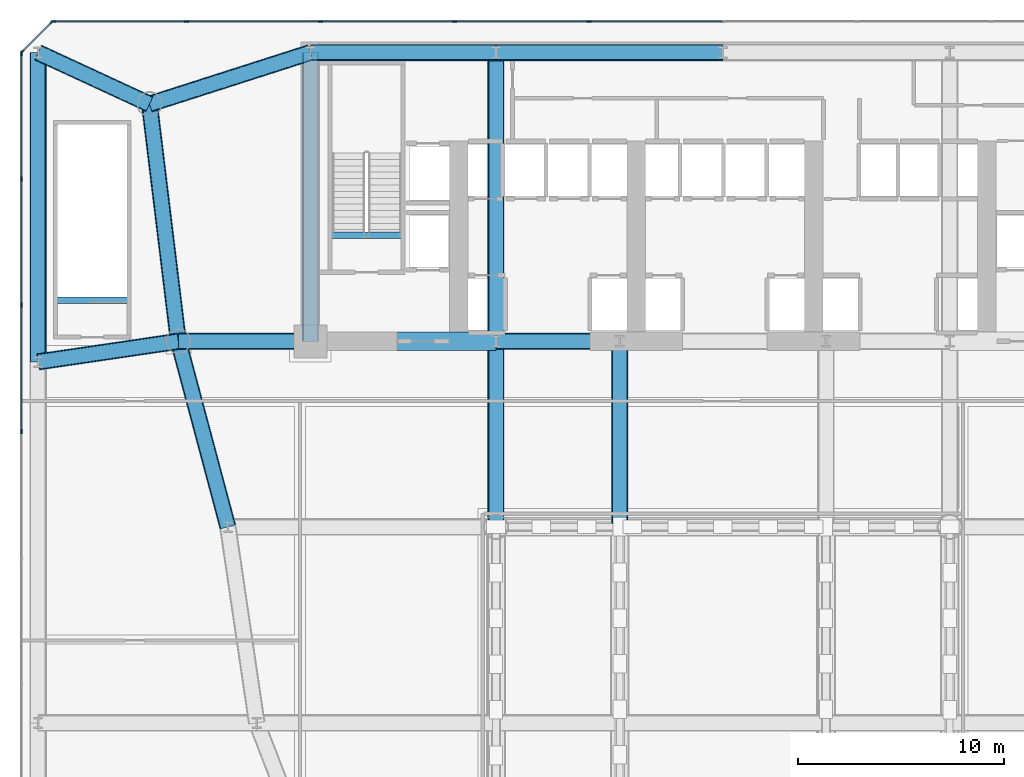
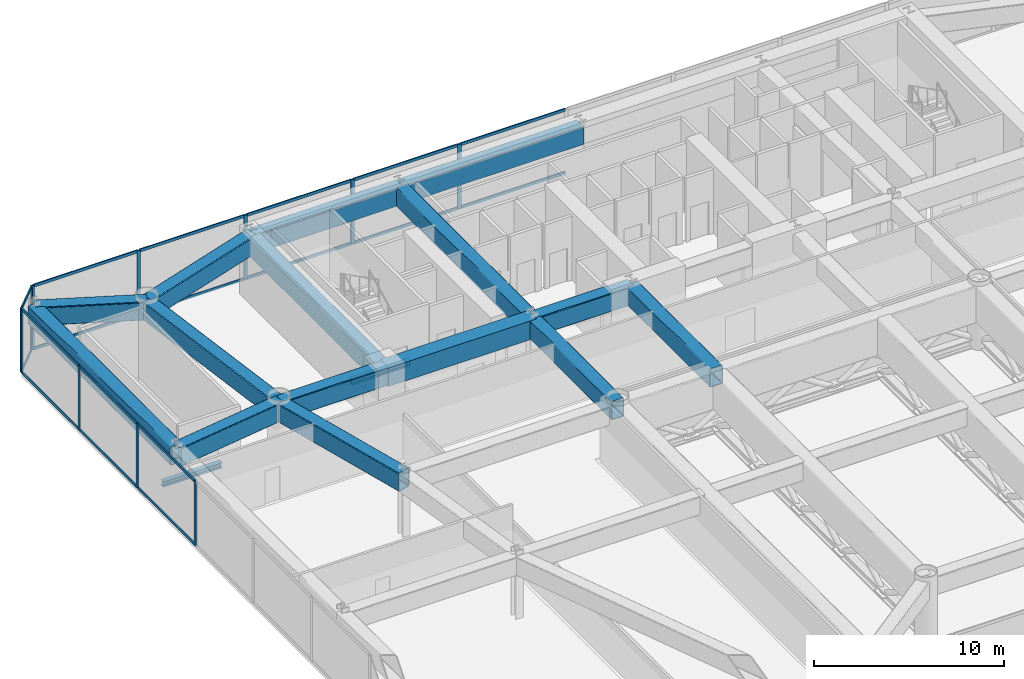
# One storey, part 7 of 21: 29 members, 17 beams, 3 elements without a shape of their own.
"""IFC4 building model written with IfcOpenShell, lengths in metres."""

import ifcopenshell
import ifcopenshell.guid

model = None  # the IFC model being written
_history = None  # IfcOwnerHistory: only IFC2X3 demands one
_inside = {}  # id of a spatial element -> (the spatial element, [elements in it])
_under = {}  # id of a project, library or spatial element -> (it, [spatial elements below it])
_declared = {}  # id of a project -> (the project, [libraries it declares])
_typed = {}  # id of a type object -> (the type object, [elements of that type])
_made_of = {}  # id of a material, layer set ... -> (it, [elements and type objects made of it])


def new_model(schema):
    """Start an empty IFC model of exactly this schema.

    Asked for "IFC4X3", IfcOpenShell would pick the latest addendum, in which some entities
    have other attributes; the version numbers below select the first issue.
    IFC2X3 requires an IfcOwnerHistory on every rooted entity: one is made here for all.
    """
    global model, _history
    if schema == "IFC4X3":
        model = ifcopenshell.file(schema_version=(4, 3, 0, 0))
    else:
        model = ifcopenshell.file(schema=schema)
    _inside.clear()
    _under.clear()
    _declared.clear()
    _typed.clear()
    _made_of.clear()
    _history = None
    if model.schema == "IFC2X3":
        org = make("IfcOrganization", Name="unknown")
        user = make(
            "IfcPersonAndOrganization",
            ThePerson=make("IfcPerson", FamilyName="unknown"),
            TheOrganization=org,
        )
        app = make(
            "IfcApplication",
            ApplicationDeveloper=org,
            Version="unknown",
            ApplicationFullName="unknown",
            ApplicationIdentifier="unknown",
        )
        _history = make(
            "IfcOwnerHistory",
            OwningUser=user,
            OwningApplication=app,
            ChangeAction="ADDED",
            CreationDate=0,
        )
    return model


def make(cls, **values):
    """One entity of the class cls with the attributes given. An attribute that is None is left unset."""
    return model.create_entity(
        cls, **{name: value for name, value in values.items() if value is not None}
    )


def rooted(cls, **values):
    """An entity with a GlobalId (a new one), such as an element, a storey or a relation."""
    return make(cls, GlobalId=ifcopenshell.guid.new(), OwnerHistory=_history, **values)


def si_unit(unit_type, name, prefix=None):
    """IfcSIUnit, for example si_unit("LENGTHUNIT", "METRE", prefix="MILLI")."""
    return make("IfcSIUnit", UnitType=unit_type, Prefix=prefix, Name=name)


def assignment(units):
    """IfcUnitAssignment: the units of a project."""
    return None if units is None else make("IfcUnitAssignment", Units=units)


def point(xyz):
    """IfcCartesianPoint."""
    return None if xyz is None else make("IfcCartesianPoint", Coordinates=xyz)


def direction(xyz):
    """IfcDirection."""
    return None if xyz is None else make("IfcDirection", DirectionRatios=xyz)


def frame(location, z_axis=None, x_axis=None):
    """IfcAxis2Placement3D, a coordinate frame: its origin and axes. An axis left out is left unset."""
    return make(
        "IfcAxis2Placement3D",
        Location=point(location),
        Axis=direction(z_axis),
        RefDirection=direction(x_axis),
    )


def frame_2d(location, x_axis=None):
    """IfcAxis2Placement2D, a coordinate frame in the plane: its origin and x axis."""
    return make(
        "IfcAxis2Placement2D", Location=point(location), RefDirection=direction(x_axis)
    )


def origin():
    """The frame at (0, 0, 0) with its axes left unset."""
    return frame((0.0, 0.0, 0.0))


def origin_2d():
    """The frame at (0, 0) in the plane with its x axis left unset."""
    return frame_2d((0.0, 0.0))


def place(relative_to, where):
    """IfcLocalPlacement: puts the frame where relative to a parent placement (None: the world)."""
    return make(
        "IfcLocalPlacement", PlacementRelTo=relative_to, RelativePlacement=where
    )


def context(
    kind, dimensions, precision=None, world=None, true_north=None, identifier=None
):
    """IfcGeometricRepresentationContext, for example the 3D "Model" context."""
    return make(
        "IfcGeometricRepresentationContext",
        ContextIdentifier=identifier,
        ContextType=kind,
        CoordinateSpaceDimension=dimensions,
        Precision=precision,
        WorldCoordinateSystem=world,
        TrueNorth=true_north,
    )


def subcontext(parent, identifier, kind, view, scale=None):
    """IfcGeometricRepresentationSubContext, for example "Body" below "Model"."""
    return make(
        "IfcGeometricRepresentationSubContext",
        ContextIdentifier=identifier,
        ContextType=kind,
        ParentContext=parent,
        TargetScale=scale,
        TargetView=view,
    )


def project(units=None, contexts=None):
    """IfcProject with its units and contexts."""
    return rooted(
        "IfcProject",
        Name="project",
        RepresentationContexts=contexts,
        UnitsInContext=assignment(units),
    )


def spatial(cls, under=None, at=None, **own):
    """A site, building, storey or space (cls), placed at a placement, below another one or the project."""
    s = rooted(cls, ObjectPlacement=at, **own)
    if under is not None:
        _under.setdefault(under.id(), (under, []))[1].append(s)
    return s


def profile(cls, at=None, kind="AREA", **sizes):
    """A parametric profile (cls). Its sizes go by their IFC names, for example OverallWidth=200.0."""
    return make(cls, ProfileType=kind, Position=at, **sizes)


def rectangle(**sizes):
    """IfcRectangleProfileDef."""
    return profile("IfcRectangleProfileDef", **sizes)


def hollow_rectangle(**sizes):
    """IfcRectangleHollowProfileDef."""
    return profile("IfcRectangleHollowProfileDef", **sizes)


def i_section(**sizes):
    """IfcIShapeProfileDef."""
    return profile("IfcIShapeProfileDef", **sizes)


def extrude(swept, where, along, depth):
    """IfcExtrudedAreaSolid: the profile swept, set in the frame where, extruded along a direction by depth."""
    return make(
        "IfcExtrudedAreaSolid",
        SweptArea=swept,
        Position=where,
        ExtrudedDirection=direction(along),
        Depth=depth,
    )


def shape(context_of_items, identifier, shape_type, items):
    """IfcShapeRepresentation: the items that make up one representation, for example the "Body"."""
    return make(
        "IfcShapeRepresentation",
        ContextOfItems=context_of_items,
        RepresentationIdentifier=identifier,
        RepresentationType=shape_type,
        Items=items,
    )


def source(mapping_origin, context_of_items, identifier, shape_type, items):
    """IfcRepresentationMap: a shape defined once, which mapped items show again and again."""
    return make(
        "IfcRepresentationMap",
        MappingOrigin=mapping_origin,
        MappedRepresentation=shape(context_of_items, identifier, shape_type, items),
    )


def transform(
    local_origin,
    x_axis=None,
    y_axis=None,
    z_axis=None,
    scale=None,
    scale2=None,
    scale3=None,
    uniform=True,
):
    """IfcCartesianTransformationOperator3D, or its non-uniform kind. x_axis, y_axis, z_axis: its Axis1, 2, 3."""
    if uniform:
        return make(
            "IfcCartesianTransformationOperator3D",
            Axis1=direction(x_axis),
            Axis2=direction(y_axis),
            LocalOrigin=point(local_origin),
            Scale=scale,
            Axis3=direction(z_axis),
        )
    return make(
        "IfcCartesianTransformationOperator3DnonUniform",
        Axis1=direction(x_axis),
        Axis2=direction(y_axis),
        LocalOrigin=point(local_origin),
        Scale=scale,
        Axis3=direction(z_axis),
        Scale2=scale2,
        Scale3=scale3,
    )


def mapped(mapping_source, mapping_target):
    """IfcMappedItem: shows the shape of a source again, moved by a transform."""
    return make(
        "IfcMappedItem", MappingSource=mapping_source, MappingTarget=mapping_target
    )


def material(Name=None, Category=None):
    """IfcMaterial."""
    return make("IfcMaterial", Name=Name, Category=Category)


def layer(
    of_material, thickness, ventilated=None, Name=None, Category=None, Priority=None
):
    """IfcMaterialLayer: one layer of a wall or slab, of a material (None: an air gap)."""
    return make(
        "IfcMaterialLayer",
        Material=of_material,
        LayerThickness=thickness,
        IsVentilated=ventilated,
        Name=Name,
        Category=Category,
        Priority=Priority,
    )


def layer_set(layers, Name=None):
    """IfcMaterialLayerSet."""
    return make("IfcMaterialLayerSet", MaterialLayers=layers, LayerSetName=Name)


def material_profile(
    of_material, cross_section, Name=None, Category=None, Priority=None
):
    """IfcMaterialProfile: a cross section and its material."""
    return make(
        "IfcMaterialProfile",
        Name=Name,
        Material=of_material,
        Profile=cross_section,
        Priority=Priority,
        Category=Category,
    )


def profile_set(profiles, Name=None, composite=None):
    """IfcMaterialProfileSet."""
    return make(
        "IfcMaterialProfileSet",
        Name=Name,
        MaterialProfiles=profiles,
        CompositeProfile=composite,
    )


def made_of(thing, what):
    """Note that an element or type object is made of a material, layer set ...; save() writes the relation."""
    if what is not None:
        _made_of.setdefault(what.id(), (what, []))[1].append(thing)
    return thing


def type_object(cls, material=None, **own):
    """A type object (cls), such as IfcWallType, which elements share."""
    return made_of(rooted(cls, **own), material)


def element(
    cls,
    number,
    at=None,
    inside=None,
    cuts=None,
    type_object=None,
    material=None,
    context=None,
    identifier="Body",
    shape_type=None,
    held_by="IfcProductDefinitionShape",
    body=None,
    shapes=None,
    **own,
):
    """One element of the class cls, such as IfcWall. Its Tag is "e" and its number.

    at: its placement. inside: the storey or other place that contains it. cuts: it is an
    opening in that element (IfcRelVoidsElement). A single representation is given by context,
    identifier, shape_type and body (its items); several are given by shapes. held_by: the class
    of the entity that holds the representations. save() writes the other relations.
    """
    e = rooted(cls, Tag="e%d" % number, ObjectPlacement=at, **own)
    if body is not None:
        shapes = [shape(context, identifier, shape_type, body)]
    if shapes is not None:
        e.Representation = make(held_by, Representations=shapes)
    if inside is not None:
        _inside.setdefault(inside.id(), (inside, []))[1].append(e)
    if cuts is not None:
        rooted(
            "IfcRelVoidsElement", RelatingBuildingElement=cuts, RelatedOpeningElement=e
        )
    if type_object is not None:
        _typed.setdefault(type_object.id(), (type_object, []))[1].append(e)
    return made_of(e, material)


def aggregate(whole, parts):
    """IfcRelAggregates: a whole, such as a stair, and the parts it consists of."""
    return rooted("IfcRelAggregates", RelatingObject=whole, RelatedObjects=parts)


def save(model, path):
    """Write the relations noted so far, then the file.

    IfcRelAggregates (storeys below a building ...), IfcRelContainedInSpatialStructure (elements
    in a storey), IfcRelDefinesByType, IfcRelAssociatesMaterial and IfcRelDeclares: one each for
    every whole, place, type object, material and project.
    """
    for whole, parts in _under.values():
        aggregate(whole, parts)
    for where, things in _inside.values():
        rooted(
            "IfcRelContainedInSpatialStructure",
            RelatedElements=things,
            RelatingStructure=where,
        )
    for kind, things in _typed.values():
        rooted("IfcRelDefinesByType", RelatedObjects=things, RelatingType=kind)
    for what, things in _made_of.values():
        rooted("IfcRelAssociatesMaterial", RelatedObjects=things, RelatingMaterial=what)
    for by, libraries in _declared.values():
        rooted("IfcRelDeclares", RelatingContext=by, RelatedDefinitions=libraries)
    model.write(path)


model = new_model("IFC4")

# Units and contexts
model_context = context("Model", 3, precision=1e-05, world=origin(), true_north=direction((0.0, 1.0)))
body_context = subcontext(model_context, "Body", "Model", "MODEL_VIEW")
ifc_project = project(units=[si_unit("LENGTHUNIT", "METRE"), si_unit("AREAUNIT", "SQUARE_METRE"), si_unit("VOLUMEUNIT", "CUBIC_METRE"), si_unit("PLANEANGLEUNIT", "RADIAN"), si_unit("MASSUNIT", "GRAM", prefix="KILO")], contexts=[model_context])

# Site, building, storey
site_placement = place(None, origin())
site = spatial("IfcSite", under=ifc_project, at=site_placement, CompositionType="ELEMENT")
building_placement = place(site_placement, origin())
building = spatial("IfcBuilding", under=site, at=building_placement, Name="Vaeldorn Concourse Tower", CompositionType="ELEMENT")
storey_placement = place(building_placement, frame((0.0, 0.0, 14.39990234375)))
storey = spatial("IfcBuildingStorey", under=building, at=storey_placement, Name="L03", CompositionType="ELEMENT", Elevation=14.39990234375)

# Beams
ifc_material_1 = material(Name="Concrete C60/75", Category="concrete")
ifc_material_profile_1 = material_profile(ifc_material_1, rectangle(XDim=0.89990234375, YDim=1.199951171875, at=origin_2d()), Name="RC 900x1200")
ifc_profile_set_1 = profile_set([ifc_material_profile_1], Name="Concrete C60/75")
beam_type_1 = type_object("IfcBeamType", Name="BM-CB-RC900", PredefinedType="BEAM", material=ifc_profile_set_1)
shared_shape_1 = source(origin(), body_context, "Body", "SweptSolid", [
    extrude(rectangle(XDim=0.89990234375, YDim=1.199951171875, at=origin_2d()), origin(), (0.0, 0.0, 1.0), 9.0),
])
beam_1_placement = place(storey_placement, frame((14.0, 36.5, 3.52001953125), z_axis=(1.0, 0.0, 0.0), x_axis=(0.0, 1.0, 0.0)))
element("IfcBeam", 1, at=beam_1_placement, inside=storey, type_object=beam_type_1, Name="Core Coupling Beam L03-1", PredefinedType="BEAM", context=body_context, shape_type="MappedRepresentation", body=[
    mapped(shared_shape_1, transform((0.0, 0.0, 0.0), scale=1.0)),
])
ifc_material_2 = material(Name="Steel S355", Category="steel")
ifc_material_profile_2 = material_profile(ifc_material_2, i_section(OverallWidth=0.300048828125, OverallDepth=0.340087890625, WebThickness=0.011962890625, FlangeThickness=0.021484375, FilletRadius=0.027099609375, at=origin_2d()), Name="HEB 340")
ifc_profile_set_2 = profile_set([ifc_material_profile_2], Name="Steel S355")
beam_type_2 = type_object("IfcBeamType", Name="BM-ST-TRIM", PredefinedType="BEAM", material=ifc_profile_set_2)
shared_shape_2 = source(origin(), body_context, "Body", "SweptSolid", [
    extrude(i_section(OverallWidth=0.300048828125, OverallDepth=0.340087890625, WebThickness=0.011962890625, FlangeThickness=0.021484375, FilletRadius=0.027099609375, at=origin_2d()), origin(), (0.0, 0.0, 1.0), 3.590087890625),
])
for number, where, z_axis, x_axis, name in (
    (2, (14.929931640625, 41.639892578125, -0.449951171875), (1.0, 0.0, 0.0), (0.0, 1.0, 0.0), "Stair Landing Trimmer Beam ST-1 L03"),
    (3, (1.6298828125, 38.489990234375, -0.449951171875), (1.0, 0.0, 0.0), (0.0, 1.0, 0.0), "Stair Landing Trimmer Beam ST-3 L03"),
):
    element("IfcBeam", number, at=place(storey_placement, frame(where, z_axis=z_axis, x_axis=x_axis)), inside=storey, type_object=beam_type_2, Name=name, PredefinedType="BEAM", context=body_context, shape_type="MappedRepresentation", body=[
        mapped(shared_shape_2, transform((0.0, 0.0, 0.0), scale=1.0)),
    ])
ifc_material_3 = material(Name="Steel S460", Category="steel")
ifc_material_profile_3 = material_profile(ifc_material_3, hollow_rectangle(XDim=0.800048828125, YDim=1.199951171875, WallThickness=0.044921875, InnerFilletRadius=0.044921875, OuterFilletRadius=0.090087890625, at=origin_2d()), Name="RHS 1200x800x45")
ifc_profile_set_3 = profile_set([ifc_material_profile_3], Name="Steel S460")
beam_type_3 = type_object("IfcBeamType", Name="BM-TG-RHS1200", PredefinedType="BEAM", material=ifc_profile_set_3)
shared_shape_3 = source(origin(), body_context, "Body", "SweptSolid", [
    extrude(hollow_rectangle(XDim=0.800048828125, YDim=1.199951171875, WallThickness=0.044921875, InnerFilletRadius=0.044921875, OuterFilletRadius=0.090087890625, at=origin_2d()), origin(), (0.0, 0.0, 1.0), 6.0),
])
beam_2_placement = place(storey_placement, frame((23.0, 36.5, 3.52001953125), z_axis=(1.0, 0.0, 0.0), x_axis=(0.0, 1.0, 0.0)))
element("IfcBeam", 4, at=beam_2_placement, inside=storey, type_object=beam_type_3, Name="Beam BM-L03-C-FC2-C-FC3", PredefinedType="BEAM", context=body_context, shape_type="MappedRepresentation", body=[
    mapped(shared_shape_3, transform((0.0, 0.0, 0.0), scale=1.0)),
])
shared_shape_4 = source(origin(), body_context, "Body", "SweptSolid", [
    extrude(hollow_rectangle(XDim=0.800048828125, YDim=1.199951171875, WallThickness=0.044921875, InnerFilletRadius=0.044921875, OuterFilletRadius=0.090087890625, at=origin_2d()), origin(), (0.0, 0.0, 1.0), 9.0),
])
for number, where, z_axis, x_axis, name in (
    (5, (14.0, 50.5, 3.52001953125), (1.0, 0.0, 0.0), (0.0, 1.0, 0.0), "Beam BM-L03-C-HC1-C-HC2"),
    (6, (23.0, 27.5, 3.52001953125), (0.0, 1.0, 0.0), (-1.0, 0.0, 0.0), "Beam BM-L03-TG-01"),
    (7, (29.0, 27.5, 3.52001953125), (0.0, 1.0, 0.0), (-1.0, 0.0, 0.0), "Beam BM-L03-TG-04"),
):
    element("IfcBeam", number, at=place(storey_placement, frame(where, z_axis=z_axis, x_axis=x_axis)), inside=storey, type_object=beam_type_3, Name=name, PredefinedType="BEAM", context=body_context, shape_type="MappedRepresentation", body=[
        mapped(shared_shape_4, transform((0.0, 0.0, 0.0), scale=1.0)),
    ])
shared_shape_5 = source(origin(), body_context, "Body", "SweptSolid", [
    extrude(hollow_rectangle(XDim=0.800048828125, YDim=1.199951171875, WallThickness=0.044921875, InnerFilletRadius=0.044921875, OuterFilletRadius=0.090087890625, at=origin_2d()), origin(), (0.0, 0.0, 1.0), 11.0),
])
beam_3_placement = place(storey_placement, frame((23.0, 50.5, 3.52001953125), z_axis=(1.0, 0.0, 0.0), x_axis=(0.0, 1.0, 0.0)))
element("IfcBeam", 8, at=beam_3_placement, inside=storey, type_object=beam_type_3, Name="Beam BM-L03-C-HC2-C-HC3", PredefinedType="BEAM", context=body_context, shape_type="MappedRepresentation", body=[
    mapped(shared_shape_5, transform((0.0, 0.0, 0.0), scale=1.0)),
])
shared_shape_6 = source(origin(), body_context, "Body", "SweptSolid", [
    extrude(hollow_rectangle(XDim=0.800048828125, YDim=1.199951171875, WallThickness=0.044921875, InnerFilletRadius=0.044921875, OuterFilletRadius=0.090087890625, at=origin_2d()), origin(), (0.0, 0.0, 1.0), 14.0),
])
for number, where, z_axis, x_axis, name in (
    (9, (14.0, 36.5, 3.52001953125), (0.0, 1.0, 0.0), (-1.0, 0.0, 0.0), "Beam BM-L03-C-FC1-C-HC1"),
    (10, (23.0, 36.5, 3.52001953125), (0.0, 1.0, 0.0), (-1.0, 0.0, 0.0), "Beam BM-L03-C-FC2-C-HC2"),
):
    element("IfcBeam", number, at=place(storey_placement, frame(where, z_axis=z_axis, x_axis=x_axis)), inside=storey, type_object=beam_type_3, Name=name, PredefinedType="BEAM", context=body_context, shape_type="MappedRepresentation", body=[
        mapped(shared_shape_6, transform((0.0, 0.0, 0.0), scale=1.0)),
    ])
shared_shape_7 = source(origin(), body_context, "Body", "SweptSolid", [
    extrude(hollow_rectangle(XDim=0.800048828125, YDim=1.199951171875, WallThickness=0.044921875, InnerFilletRadius=0.044921875, OuterFilletRadius=0.090087890625, at=origin_2d()), origin(), (0.0, 0.0, 1.0), 15.0),
])
beam_4_placement = place(storey_placement, frame((0.800048828125, 35.5, 3.52001953125), z_axis=(0.0, 1.0, 0.0), x_axis=(-1.0, 0.0, 0.0)))
element("IfcBeam", 11, at=beam_4_placement, inside=storey, type_object=beam_type_3, Name="Beam BM-L03-TG-21", PredefinedType="BEAM", context=body_context, shape_type="MappedRepresentation", body=[
    mapped(shared_shape_7, transform((0.0, 0.0, 0.0), scale=1.0)),
])
shared_shape_8 = source(origin(), body_context, "Body", "SweptSolid", [
    extrude(hollow_rectangle(XDim=0.800048828125, YDim=1.199951171875, WallThickness=0.044921875, InnerFilletRadius=0.044921875, OuterFilletRadius=0.090087890625, at=origin_2d()), origin(), (0.0, 0.0, 1.0), 6.873291015625),
])
beam_5_placement = place(storey_placement, frame((0.800048828125, 35.5, 3.52001953125), z_axis=(0.989359285749, 0.145492967882, 0.0), x_axis=(-0.145492967882, 0.989359285749, 0.0)))
element("IfcBeam", 12, at=beam_5_placement, inside=storey, type_object=beam_type_3, Name="Beam BM-L03-TG-27", PredefinedType="BEAM", context=body_context, shape_type="MappedRepresentation", body=[
    mapped(shared_shape_8, transform((0.0, 0.0, 0.0), scale=1.0)),
])
shared_shape_9 = source(origin(), body_context, "Body", "SweptSolid", [
    extrude(hollow_rectangle(XDim=0.800048828125, YDim=1.199951171875, WallThickness=0.044921875, InnerFilletRadius=0.044921875, OuterFilletRadius=0.090087890625, at=origin_2d()), origin(), (0.0, 0.0, 1.0), 6.39990234375),
])
beam_6_placement = place(storey_placement, frame((7.60009765625, 36.5, 3.52001953125), z_axis=(1.0, 0.0, 0.0), x_axis=(0.0, 1.0, 0.0)))
element("IfcBeam", 13, at=beam_6_placement, inside=storey, type_object=beam_type_3, Name="Beam BM-L03-TG-28", PredefinedType="BEAM", context=body_context, shape_type="MappedRepresentation", body=[
    mapped(shared_shape_9, transform((0.0, 0.0, 0.0), scale=1.0)),
])
shared_shape_10 = source(origin(), body_context, "Body", "SweptSolid", [
    extrude(hollow_rectangle(XDim=0.800048828125, YDim=1.199951171875, WallThickness=0.044921875, InnerFilletRadius=0.044921875, OuterFilletRadius=0.090087890625, at=origin_2d()), origin(), (0.0, 0.0, 1.0), 5.950439453125),
])
beam_7_placement = place(storey_placement, frame((0.800048828125, 50.5, 3.52001953125), z_axis=(0.907464010437, -0.420129824888, 0.0), x_axis=(0.420129824888, 0.907464010437, 0.0)))
element("IfcBeam", 14, at=beam_7_placement, inside=storey, type_object=beam_type_3, Name="Beam BM-L03-TG-31", PredefinedType="BEAM", context=body_context, shape_type="MappedRepresentation", body=[
    mapped(shared_shape_10, transform((0.0, 0.0, 0.0), scale=1.0)),
])
shared_shape_11 = source(origin(), body_context, "Body", "SweptSolid", [
    extrude(hollow_rectangle(XDim=0.800048828125, YDim=1.199951171875, WallThickness=0.044921875, InnerFilletRadius=0.044921875, OuterFilletRadius=0.090087890625, at=origin_2d()), origin(), (0.0, 0.0, 1.0), 8.19091796875),
])
beam_8_placement = place(storey_placement, frame((6.199951171875, 48.0, 3.52001953125), z_axis=(0.952282843383, 0.305216949396, 0.0), x_axis=(-0.305216949396, 0.952282843383, 0.0)))
element("IfcBeam", 15, at=beam_8_placement, inside=storey, type_object=beam_type_3, Name="Beam BM-L03-TG-32", PredefinedType="BEAM", context=body_context, shape_type="MappedRepresentation", body=[
    mapped(shared_shape_11, transform((0.0, 0.0, 0.0), scale=1.0)),
])
shared_shape_12 = source(origin(), body_context, "Body", "SweptSolid", [
    extrude(hollow_rectangle(XDim=0.800048828125, YDim=1.199951171875, WallThickness=0.044921875, InnerFilletRadius=0.044921875, OuterFilletRadius=0.090087890625, at=origin_2d()), origin(), (0.0, 0.0, 1.0), 11.5849609375),
])
beam_9_placement = place(storey_placement, frame((6.199951171875, 48.0, 3.52001953125), z_axis=(0.120859382899, -0.992669637677, 0.0), x_axis=(0.992669637677, 0.120859382899, 0.0)))
element("IfcBeam", 16, at=beam_9_placement, inside=storey, type_object=beam_type_3, Name="Beam BM-L03-TG-35", PredefinedType="BEAM", context=body_context, shape_type="MappedRepresentation", body=[
    mapped(shared_shape_12, transform((0.0, 0.0, 0.0), scale=1.0)),
])
shared_shape_13 = source(origin(), body_context, "Body", "SweptSolid", [
    extrude(hollow_rectangle(XDim=0.800048828125, YDim=1.199951171875, WallThickness=0.044921875, InnerFilletRadius=0.044921875, OuterFilletRadius=0.090087890625, at=origin_2d()), origin(), (0.0, 0.0, 1.0), 9.314453125),
])
beam_10_placement = place(storey_placement, frame((7.60009765625, 36.5, 3.52001953125), z_axis=(0.257652862255, -0.966237549763, 0.0), x_axis=(0.966237549763, 0.257652862255, 0.0)))
element("IfcBeam", 17, at=beam_10_placement, inside=storey, type_object=beam_type_3, Name="Beam BM-L03-TG-36", PredefinedType="BEAM", context=body_context, shape_type="MappedRepresentation", body=[
    mapped(shared_shape_13, transform((0.0, 0.0, 0.0), scale=1.0)),
])

# Curtain wall, members
ifc_material_4 = material(Name="Anodised Bronze Aluminium", Category="aluminium")
ifc_layer = layer(ifc_material_4, 0.239990234375)
ifc_layer_set = layer_set([ifc_layer], Name="Anodised Bronze Aluminium")
curtain_wall_type = type_object("IfcCurtainWallType", Name="CW-SYS-04", PredefinedType="NOTDEFINED", material=ifc_layer_set)
curtain_wall_1_placement = place(storey_placement, origin())
curtain_wall_1 = element("IfcCurtainWall", 18, at=curtain_wall_1_placement, inside=storey, type_object=curtain_wall_type, Name="Unitised Curtain Wall CW-L03-E05-1", PredefinedType="NOTDEFINED")
ifc_material_profile_4 = material_profile(ifc_material_4, rectangle(XDim=0.074951171875, YDim=0.179931640625, at=origin_2d()), Name="CWT 75x180")
ifc_profile_set_4 = profile_set([ifc_material_profile_4], Name="Anodised Bronze Aluminium")
member_type_1 = type_object("IfcMemberType", Name="CWT-BRONZE-180", PredefinedType="USERDEFINED", material=ifc_profile_set_4)
shared_shape_14 = source(origin(), body_context, "Body", "SweptSolid", [
    extrude(rectangle(XDim=0.074951171875, YDim=0.179931640625, at=origin_2d()), origin(), (0.0, 0.0, 1.0), 6.387451171875),
])
member_1_placement = place(storey_placement, frame((7.96240234375, 52.0, 0.03759765625), z_axis=(-1.0, 0.0, 0.0), x_axis=(0.0, -1.0, 0.0)))
member_1 = element("IfcMember", 19, at=member_1_placement, type_object=member_type_1, Name="CW-04 transom 10.1", ObjectType="TRANSOM", PredefinedType="USERDEFINED", context=body_context, shape_type="MappedRepresentation", body=[
    mapped(shared_shape_14, transform((0.0, 0.0, 0.0), scale=1.0)),
])
member_2_placement = place(storey_placement, frame((7.96240234375, 52.0, 4.08251953125), z_axis=(-1.0, 0.0, 0.0), x_axis=(0.0, -1.0, 0.0)))
member_2 = element("IfcMember", 20, at=member_2_placement, type_object=member_type_1, Name="CW-04 transom 10.2", ObjectType="TRANSOM", PredefinedType="USERDEFINED", context=body_context, shape_type="MappedRepresentation", body=[
    mapped(shared_shape_14, transform((0.0, 0.0, 0.0), scale=1.0)),
])
shared_shape_15 = source(origin(), body_context, "Body", "SweptSolid", [
    extrude(rectangle(XDim=0.074951171875, YDim=0.179931640625, at=origin_2d()), origin(), (0.0, 0.0, 1.0), 6.4248046875),
])
member_3_placement = place(storey_placement, frame((33.96240234375, 52.0, 0.03759765625), z_axis=(-1.0, 0.0, 0.0), x_axis=(0.0, -1.0, 0.0)))
member_3 = element("IfcMember", 21, at=member_3_placement, type_object=member_type_1, Name="CW-04 transom 6.1", ObjectType="TRANSOM", PredefinedType="USERDEFINED", context=body_context, shape_type="MappedRepresentation", body=[
    mapped(shared_shape_15, transform((0.0, 0.0, 0.0), scale=1.0)),
])
member_4_placement = place(storey_placement, frame((33.96240234375, 52.0, 4.08251953125), z_axis=(-1.0, 0.0, 0.0), x_axis=(0.0, -1.0, 0.0)))
member_4 = element("IfcMember", 22, at=member_4_placement, type_object=member_type_1, Name="CW-04 transom 6.2", ObjectType="TRANSOM", PredefinedType="USERDEFINED", context=body_context, shape_type="MappedRepresentation", body=[
    mapped(shared_shape_15, transform((0.0, 0.0, 0.0), scale=1.0)),
])
member_5_placement = place(storey_placement, frame((27.46240234375, 52.0, 0.03759765625), z_axis=(-1.0, 0.0, 0.0), x_axis=(0.0, -1.0, 0.0)))
member_5 = element("IfcMember", 23, at=member_5_placement, type_object=member_type_1, Name="CW-04 transom 7.1", ObjectType="TRANSOM", PredefinedType="USERDEFINED", context=body_context, shape_type="MappedRepresentation", body=[
    mapped(shared_shape_15, transform((0.0, 0.0, 0.0), scale=1.0)),
])
member_6_placement = place(storey_placement, frame((27.46240234375, 52.0, 4.08251953125), z_axis=(-1.0, 0.0, 0.0), x_axis=(0.0, -1.0, 0.0)))
member_6 = element("IfcMember", 24, at=member_6_placement, type_object=member_type_1, Name="CW-04 transom 7.2", ObjectType="TRANSOM", PredefinedType="USERDEFINED", context=body_context, shape_type="MappedRepresentation", body=[
    mapped(shared_shape_15, transform((0.0, 0.0, 0.0), scale=1.0)),
])
member_7_placement = place(storey_placement, frame((20.96240234375, 52.0, 0.03759765625), z_axis=(-1.0, 0.0, 0.0), x_axis=(0.0, -1.0, 0.0)))
member_7 = element("IfcMember", 25, at=member_7_placement, type_object=member_type_1, Name="CW-04 transom 8.1", ObjectType="TRANSOM", PredefinedType="USERDEFINED", context=body_context, shape_type="MappedRepresentation", body=[
    mapped(shared_shape_15, transform((0.0, 0.0, 0.0), scale=1.0)),
])
member_8_placement = place(storey_placement, frame((20.96240234375, 52.0, 4.08251953125), z_axis=(-1.0, 0.0, 0.0), x_axis=(0.0, -1.0, 0.0)))
member_8 = element("IfcMember", 26, at=member_8_placement, type_object=member_type_1, Name="CW-04 transom 8.2", ObjectType="TRANSOM", PredefinedType="USERDEFINED", context=body_context, shape_type="MappedRepresentation", body=[
    mapped(shared_shape_15, transform((0.0, 0.0, 0.0), scale=1.0)),
])
member_9_placement = place(storey_placement, frame((14.46240234375, 52.0, 0.03759765625), z_axis=(-1.0, 0.0, 0.0), x_axis=(0.0, -1.0, 0.0)))
member_9 = element("IfcMember", 27, at=member_9_placement, type_object=member_type_1, Name="CW-04 transom 9.1", ObjectType="TRANSOM", PredefinedType="USERDEFINED", context=body_context, shape_type="MappedRepresentation", body=[
    mapped(shared_shape_15, transform((0.0, 0.0, 0.0), scale=1.0)),
])
member_10_placement = place(storey_placement, frame((14.46240234375, 52.0, 4.08251953125), z_axis=(-1.0, 0.0, 0.0), x_axis=(0.0, -1.0, 0.0)))
member_10 = element("IfcMember", 28, at=member_10_placement, type_object=member_type_1, Name="CW-04 transom 9.2", ObjectType="TRANSOM", PredefinedType="USERDEFINED", context=body_context, shape_type="MappedRepresentation", body=[
    mapped(shared_shape_15, transform((0.0, 0.0, 0.0), scale=1.0)),
])

curtain_wall_2_placement = place(storey_placement, origin())
curtain_wall_2 = element("IfcCurtainWall", 29, at=curtain_wall_2_placement, inside=storey, type_object=curtain_wall_type, Name="Unitised Curtain Wall CW-L03-E06-1", PredefinedType="NOTDEFINED")
shared_shape_16 = source(origin(), body_context, "Body", "SweptSolid", [
    extrude(rectangle(XDim=0.074951171875, YDim=0.179931640625, at=origin_2d()), origin(), (0.0, 0.0, 1.0), 1.971435546875),
])
member_11_placement = place(storey_placement, frame((1.447021484375, 51.947021484375, 0.03759765625), z_axis=(-0.707106781187, -0.707106781187, 0.0), x_axis=(0.707106781187, -0.707106781187, 0.0)))
member_11 = element("IfcMember", 30, at=member_11_placement, type_object=member_type_1, Name="CW-04 transom 1.1", ObjectType="TRANSOM", PredefinedType="USERDEFINED", context=body_context, shape_type="MappedRepresentation", body=[
    mapped(shared_shape_16, transform((0.0, 0.0, 0.0), scale=1.0)),
])
member_12_placement = place(storey_placement, frame((1.447021484375, 51.947021484375, 4.08251953125), z_axis=(-0.707106781187, -0.707106781187, 0.0), x_axis=(0.707106781187, -0.707106781187, 0.0)))
member_12 = element("IfcMember", 31, at=member_12_placement, type_object=member_type_1, Name="CW-04 transom 1.2", ObjectType="TRANSOM", PredefinedType="USERDEFINED", context=body_context, shape_type="MappedRepresentation", body=[
    mapped(shared_shape_16, transform((0.0, 0.0, 0.0), scale=1.0)),
])

curtain_wall_3_placement = place(storey_placement, origin())
curtain_wall_3 = element("IfcCurtainWall", 32, at=curtain_wall_3_placement, inside=storey, type_object=curtain_wall_type, Name="Unitised Curtain Wall CW-L03-E07-1", PredefinedType="NOTDEFINED")
shared_shape_17 = source(origin(), body_context, "Body", "SweptSolid", [
    extrude(rectangle(XDim=0.074951171875, YDim=0.179931640625, at=origin_2d()), origin(), (0.0, 0.0, 1.0), 6.012451171875),
])
member_13_placement = place(storey_placement, frame((0.0, 50.425048828125, 0.03759765625), z_axis=(0.0, -1.0, 0.0), x_axis=(1.0, 0.0, 0.0)))
member_13 = element("IfcMember", 33, at=member_13_placement, type_object=member_type_1, Name="CW-04 transom 1.1", ObjectType="TRANSOM", PredefinedType="USERDEFINED", context=body_context, shape_type="MappedRepresentation", body=[
    mapped(shared_shape_17, transform((0.0, 0.0, 0.0), scale=1.0)),
])
member_14_placement = place(storey_placement, frame((0.0, 50.425048828125, 4.08251953125), z_axis=(0.0, -1.0, 0.0), x_axis=(1.0, 0.0, 0.0)))
member_14 = element("IfcMember", 34, at=member_14_placement, type_object=member_type_1, Name="CW-04 transom 1.2", ObjectType="TRANSOM", PredefinedType="USERDEFINED", context=body_context, shape_type="MappedRepresentation", body=[
    mapped(shared_shape_17, transform((0.0, 0.0, 0.0), scale=1.0)),
])
shared_shape_18 = source(origin(), body_context, "Body", "SweptSolid", [
    extrude(rectangle(XDim=0.074951171875, YDim=0.179931640625, at=origin_2d()), origin(), (0.0, 0.0, 1.0), 6.0498046875),
])
member_15_placement = place(storey_placement, frame((0.0, 44.33740234375, 0.03759765625), z_axis=(0.0, -1.0, 0.0), x_axis=(1.0, 0.0, 0.0)))
member_15 = element("IfcMember", 35, at=member_15_placement, type_object=member_type_1, Name="CW-04 transom 2.1", ObjectType="TRANSOM", PredefinedType="USERDEFINED", context=body_context, shape_type="MappedRepresentation", body=[
    mapped(shared_shape_18, transform((0.0, 0.0, 0.0), scale=1.0)),
])
member_16_placement = place(storey_placement, frame((0.0, 44.33740234375, 4.08251953125), z_axis=(0.0, -1.0, 0.0), x_axis=(1.0, 0.0, 0.0)))
member_16 = element("IfcMember", 36, at=member_16_placement, type_object=member_type_1, Name="CW-04 transom 2.2", ObjectType="TRANSOM", PredefinedType="USERDEFINED", context=body_context, shape_type="MappedRepresentation", body=[
    mapped(shared_shape_18, transform((0.0, 0.0, 0.0), scale=1.0)),
])
member_17_placement = place(storey_placement, frame((0.0, 38.21240234375, 0.03759765625), z_axis=(0.0, -1.0, 0.0), x_axis=(1.0, 0.0, 0.0)))
member_17 = element("IfcMember", 37, at=member_17_placement, type_object=member_type_1, Name="CW-04 transom 3.1", ObjectType="TRANSOM", PredefinedType="USERDEFINED", context=body_context, shape_type="MappedRepresentation", body=[
    mapped(shared_shape_18, transform((0.0, 0.0, 0.0), scale=1.0)),
])
member_18_placement = place(storey_placement, frame((0.0, 38.21240234375, 4.08251953125), z_axis=(0.0, -1.0, 0.0), x_axis=(1.0, 0.0, 0.0)))
member_18 = element("IfcMember", 38, at=member_18_placement, type_object=member_type_1, Name="CW-04 transom 3.2", ObjectType="TRANSOM", PredefinedType="USERDEFINED", context=body_context, shape_type="MappedRepresentation", body=[
    mapped(shared_shape_18, transform((0.0, 0.0, 0.0), scale=1.0)),
])

# Member
ifc_material_profile_5 = material_profile(ifc_material_4, rectangle(XDim=0.074951171875, YDim=0.219970703125, at=origin_2d()), Name="CWM 75x220")
ifc_profile_set_5 = profile_set([ifc_material_profile_5], Name="Anodised Bronze Aluminium")
member_type_2 = type_object("IfcMemberType", Name="CWM-BRONZE-220", PredefinedType="MULLION", material=ifc_profile_set_5)
shared_shape_19 = source(origin(), body_context, "Body", "SweptSolid", [
    extrude(rectangle(XDim=0.074951171875, YDim=0.219970703125, at=origin_2d()), origin(), (0.0, 0.0, 1.0), 4.1201171875),
])
member_19_placement = place(storey_placement, frame((27.5, 52.0, 0.0), z_axis=(0.0, 0.0, 1.0), x_axis=(0.0, -1.0, 0.0)))
member_19 = element("IfcMember", 39, at=member_19_placement, type_object=member_type_2, Name="CW-04 mullion 7", PredefinedType="MULLION", context=body_context, shape_type="MappedRepresentation", body=[
    mapped(shared_shape_19, transform((0.0, 0.0, 0.0), scale=1.0)),
])

member_20_placement = place(storey_placement, frame((21.0, 52.0, 0.0), z_axis=(0.0, 0.0, 1.0), x_axis=(0.0, -1.0, 0.0)))
member_20 = element("IfcMember", 40, at=member_20_placement, type_object=member_type_2, Name="CW-04 mullion 8", PredefinedType="MULLION", context=body_context, shape_type="MappedRepresentation", body=[
    mapped(shared_shape_19, transform((0.0, 0.0, 0.0), scale=1.0)),
])

member_21_placement = place(storey_placement, frame((14.5, 52.0, 0.0), z_axis=(0.0, 0.0, 1.0), x_axis=(0.0, -1.0, 0.0)))
member_21 = element("IfcMember", 41, at=member_21_placement, type_object=member_type_2, Name="CW-04 mullion 9", PredefinedType="MULLION", context=body_context, shape_type="MappedRepresentation", body=[
    mapped(shared_shape_19, transform((0.0, 0.0, 0.0), scale=1.0)),
])

member_22_placement = place(storey_placement, frame((8.0, 52.0, 0.0), z_axis=(0.0, 0.0, 1.0), x_axis=(0.0, -1.0, 0.0)))
member_22 = element("IfcMember", 42, at=member_22_placement, type_object=member_type_2, Name="CW-04 mullion 10", PredefinedType="MULLION", context=body_context, shape_type="MappedRepresentation", body=[
    mapped(shared_shape_19, transform((0.0, 0.0, 0.0), scale=1.0)),
])

member_23_placement = place(storey_placement, frame((1.53759765625, 52.0, 0.0), z_axis=(0.0, 0.0, 1.0), x_axis=(0.0, -1.0, 0.0)))
member_23 = element("IfcMember", 43, at=member_23_placement, type_object=member_type_2, Name="CW-04 mullion 11", PredefinedType="MULLION", context=body_context, shape_type="MappedRepresentation", body=[
    mapped(shared_shape_19, transform((0.0, 0.0, 0.0), scale=1.0)),
])

aggregate(curtain_wall_1, [member_19, member_20, member_21, member_22, member_23, member_3, member_4, member_5, member_6, member_7, member_8, member_9, member_10, member_1, member_2])

member_24_placement = place(storey_placement, frame((1.473388671875, 51.973388671875, 0.0), z_axis=(0.0, 0.0, 1.0), x_axis=(0.707106781187, -0.707106781187, 0.0)))
member_24 = element("IfcMember", 44, at=member_24_placement, type_object=member_type_2, Name="CW-04 mullion 1", PredefinedType="MULLION", context=body_context, shape_type="MappedRepresentation", body=[
    mapped(shared_shape_19, transform((0.0, 0.0, 0.0), scale=1.0)),
])

member_25_placement = place(storey_placement, frame((0.026611328125, 50.526611328125, 0.0), z_axis=(0.0, 0.0, 1.0), x_axis=(0.707106781187, -0.707106781187, 0.0)))
member_25 = element("IfcMember", 45, at=member_25_placement, type_object=member_type_2, Name="CW-04 mullion 2", PredefinedType="MULLION", context=body_context, shape_type="MappedRepresentation", body=[
    mapped(shared_shape_19, transform((0.0, 0.0, 0.0), scale=1.0)),
])

aggregate(curtain_wall_2, [member_24, member_25, member_11, member_12])

member_26_placement = place(storey_placement, frame((0.0, 50.46240234375, 0.0), z_axis=(0.0, 0.0, 1.0), x_axis=(1.0, 0.0, 0.0)))
member_26 = element("IfcMember", 46, at=member_26_placement, type_object=member_type_2, Name="CW-04 mullion 1", PredefinedType="MULLION", context=body_context, shape_type="MappedRepresentation", body=[
    mapped(shared_shape_19, transform((0.0, 0.0, 0.0), scale=1.0)),
])

member_27_placement = place(storey_placement, frame((0.0, 44.375, 0.0), z_axis=(0.0, 0.0, 1.0), x_axis=(1.0, 0.0, 0.0)))
member_27 = element("IfcMember", 47, at=member_27_placement, type_object=member_type_2, Name="CW-04 mullion 2", PredefinedType="MULLION", context=body_context, shape_type="MappedRepresentation", body=[
    mapped(shared_shape_19, transform((0.0, 0.0, 0.0), scale=1.0)),
])

member_28_placement = place(storey_placement, frame((0.0, 38.25, 0.0), z_axis=(0.0, 0.0, 1.0), x_axis=(1.0, 0.0, 0.0)))
member_28 = element("IfcMember", 48, at=member_28_placement, type_object=member_type_2, Name="CW-04 mullion 3", PredefinedType="MULLION", context=body_context, shape_type="MappedRepresentation", body=[
    mapped(shared_shape_19, transform((0.0, 0.0, 0.0), scale=1.0)),
])

member_29_placement = place(storey_placement, frame((0.0, 32.125, 0.0), z_axis=(0.0, 0.0, 1.0), x_axis=(1.0, 0.0, 0.0)))
member_29 = element("IfcMember", 49, at=member_29_placement, type_object=member_type_2, Name="CW-04 mullion 4", PredefinedType="MULLION", context=body_context, shape_type="MappedRepresentation", body=[
    mapped(shared_shape_19, transform((0.0, 0.0, 0.0), scale=1.0)),
])

aggregate(curtain_wall_3, [member_26, member_27, member_28, member_29, member_13, member_14, member_15, member_16, member_17, member_18])

save(model, "model.ifc")
